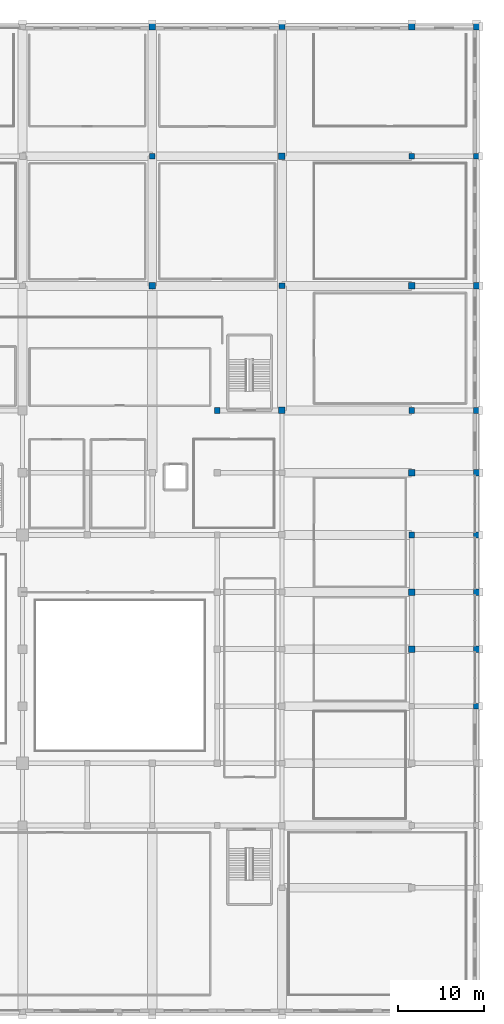
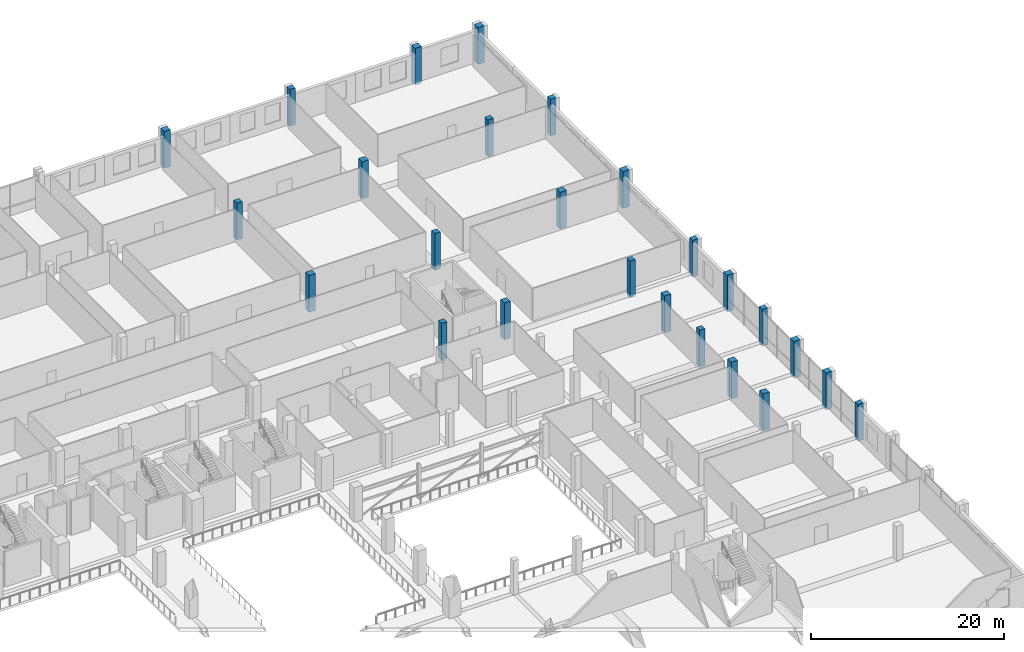
# One storey, part 5 of 64: 25 columns.
"""IFC4 building model written with IfcOpenShell, lengths in metres."""

from ifc_helpers import new_model, si_unit, direction, frame, origin, origin_2d, place, context, subcontext, project, spatial, rectangle, extrude, material, material_profile, profile_set, type_object, element, save


model = new_model("IFC4")

# Units and contexts
model_context = context("Model", 3, precision=1e-05, world=origin(), true_north=direction((0.0, 1.0)))
body_context = subcontext(model_context, "Body", "Model", "MODEL_VIEW")
ifc_project = project(units=[si_unit("LENGTHUNIT", "METRE"), si_unit("AREAUNIT", "SQUARE_METRE"), si_unit("VOLUMEUNIT", "CUBIC_METRE"), si_unit("PLANEANGLEUNIT", "RADIAN"), si_unit("MASSUNIT", "GRAM", prefix="KILO")], contexts=[model_context])

# Site, building, storey
site_placement = place(None, origin())
site = spatial("IfcSite", under=ifc_project, at=site_placement, CompositionType="ELEMENT")
building_placement = place(site_placement, origin())
building = spatial("IfcBuilding", under=site, at=building_placement, Name="Akrevak Sports Hall", CompositionType="ELEMENT")
storey_placement = place(building_placement, frame((0.0, 0.0, 4.60009765625)))
storey = spatial("IfcBuildingStorey", under=building, at=storey_placement, Name="L01", CompositionType="ELEMENT", Elevation=4.60009765625)

# Columns
ifc_material = material(Name="Concrete C40/50", Category="concrete")
ifc_material_profile_1 = material_profile(ifc_material, rectangle(XDim=0.64990234375, YDim=0.64990234375, at=origin_2d()), Name="RC 650x650", Category="concrete")
ifc_profile_set_1 = profile_set([ifc_material_profile_1], Name="Concrete C40/50")
column_type_1 = type_object("IfcColumnType", Name="STR-COL-RC650", PredefinedType="COLUMN", material=ifc_profile_set_1)
for number, where, z_axis, x_axis, name in (
    (1, (130.5, 99.0, -0.300048828125), (0.0, 0.0, 1.0), (1.0, 0.0, 0.0), "Column 18/O (L01)"),
    (2, (138.0, 69.60009765625, -0.300048828125), (0.0, 0.0, 1.0), (1.0, 0.0, 0.0), "Column 19/K (L01)"),
    (3, (145.5, 84.0, -0.300048828125), (0.0, 0.0, 1.0), (1.0, 0.0, 0.0), "Column 20/M (L01)"),
    (4, (145.5, 114.0, -0.300048828125), (0.0, 0.0, 1.0), (1.0, 0.0, 0.0), "Column 20/Q (L01)"),
    (5, (160.5, 55.199951171875, -0.300048828125), (0.0, 0.0, 1.0), (1.0, 0.0, 0.0), "Column 22/I (L01)"),
    (6, (160.5, 69.60009765625, -0.300048828125), (0.0, 0.0, 1.0), (1.0, 0.0, 0.0), "Column 22/K (L01)"),
    (7, (160.5, 99.0, -0.300048828125), (0.0, 0.0, 1.0), (1.0, 0.0, 0.0), "Column 22/O (L01)"),
    (8, (168.0, 35.39990234375, -0.300048828125), (0.0, 0.0, 1.0), (1.0, 0.0, 0.0), "Column 23/F (L01)"),
    (9, (168.0, 55.199951171875, -0.300048828125), (0.0, 0.0, 1.0), (1.0, 0.0, 0.0), "Column 23/I (L01)"),
    (10, (168.0, 69.60009765625, -0.300048828125), (0.0, 0.0, 1.0), (1.0, 0.0, 0.0), "Column 23/K (L01)"),
    (11, (168.0, 99.0, -0.300048828125), (0.0, 0.0, 1.0), (1.0, 0.0, 0.0), "Column 23/O (L01)"),
):
    element("IfcColumn", number, at=place(storey_placement, frame(where, z_axis=z_axis, x_axis=x_axis)), inside=storey, type_object=column_type_1, Name=name, PredefinedType="COLUMN", context=body_context, shape_type="SweptSolid", body=[
        extrude(rectangle(XDim=0.64990234375, YDim=0.64990234375, at=origin_2d()), origin(), (0.0, 0.0, 1.0), 4.64990234375),
    ])
ifc_material_profile_2 = material_profile(ifc_material, rectangle(XDim=0.75, YDim=0.75, at=origin_2d()), Name="RC 750x750", Category="concrete")
ifc_profile_set_2 = profile_set([ifc_material_profile_2], Name="Concrete C40/50")
column_type_2 = type_object("IfcColumnType", Name="STR-COL-RC750", PredefinedType="COLUMN", material=ifc_profile_set_2)
for number, where, z_axis, x_axis, name in (
    (12, (130.5, 84.0, -0.300048828125), (0.0, 0.0, 1.0), (1.0, 0.0, 0.0), "Column 18/M (L01)"),
    (13, (130.5, 114.0, -0.300048828125), (0.0, 0.0, 1.0), (1.0, 0.0, 0.0), "Column 18/Q (L01)"),
    (14, (145.5, 69.60009765625, -0.300048828125), (0.0, 0.0, 1.0), (1.0, 0.0, 0.0), "Column 20/K (L01)"),
    (15, (145.5, 99.0, -0.300048828125), (0.0, 0.0, 1.0), (1.0, 0.0, 0.0), "Column 20/O (L01)"),
    (16, (160.5, 42.0, -0.300048828125), (0.0, 0.0, 1.0), (1.0, 0.0, 0.0), "Column 22/G (L01)"),
    (17, (160.5, 48.60009765625, -0.300048828125), (0.0, 0.0, 1.0), (1.0, 0.0, 0.0), "Column 22/H (L01)"),
    (18, (160.5, 62.39990234375, -0.300048828125), (0.0, 0.0, 1.0), (1.0, 0.0, 0.0), "Column 22/J (L01)"),
    (19, (160.5, 84.0, -0.300048828125), (0.0, 0.0, 1.0), (1.0, 0.0, 0.0), "Column 22/M (L01)"),
    (20, (160.5, 114.0, -0.300048828125), (0.0, 0.0, 1.0), (1.0, 0.0, 0.0), "Column 22/Q (L01)"),
    (21, (168.0, 42.0, -0.300048828125), (0.0, 0.0, 1.0), (1.0, 0.0, 0.0), "Column 23/G (L01)"),
    (22, (168.0, 48.60009765625, -0.300048828125), (0.0, 0.0, 1.0), (1.0, 0.0, 0.0), "Column 23/H (L01)"),
    (23, (168.0, 62.39990234375, -0.300048828125), (0.0, 0.0, 1.0), (1.0, 0.0, 0.0), "Column 23/J (L01)"),
    (24, (168.0, 84.0, -0.300048828125), (0.0, 0.0, 1.0), (1.0, 0.0, 0.0), "Column 23/M (L01)"),
    (25, (168.0, 114.0, -0.300048828125), (0.0, 0.0, 1.0), (1.0, 0.0, 0.0), "Column 23/Q (L01)"),
):
    element("IfcColumn", number, at=place(storey_placement, frame(where, z_axis=z_axis, x_axis=x_axis)), inside=storey, type_object=column_type_2, Name=name, PredefinedType="COLUMN", context=body_context, shape_type="SweptSolid", body=[
        extrude(rectangle(XDim=0.75, YDim=0.75, at=origin_2d()), origin(), (0.0, 0.0, 1.0), 4.64990234375),
    ])

save(model, "model.ifc")
